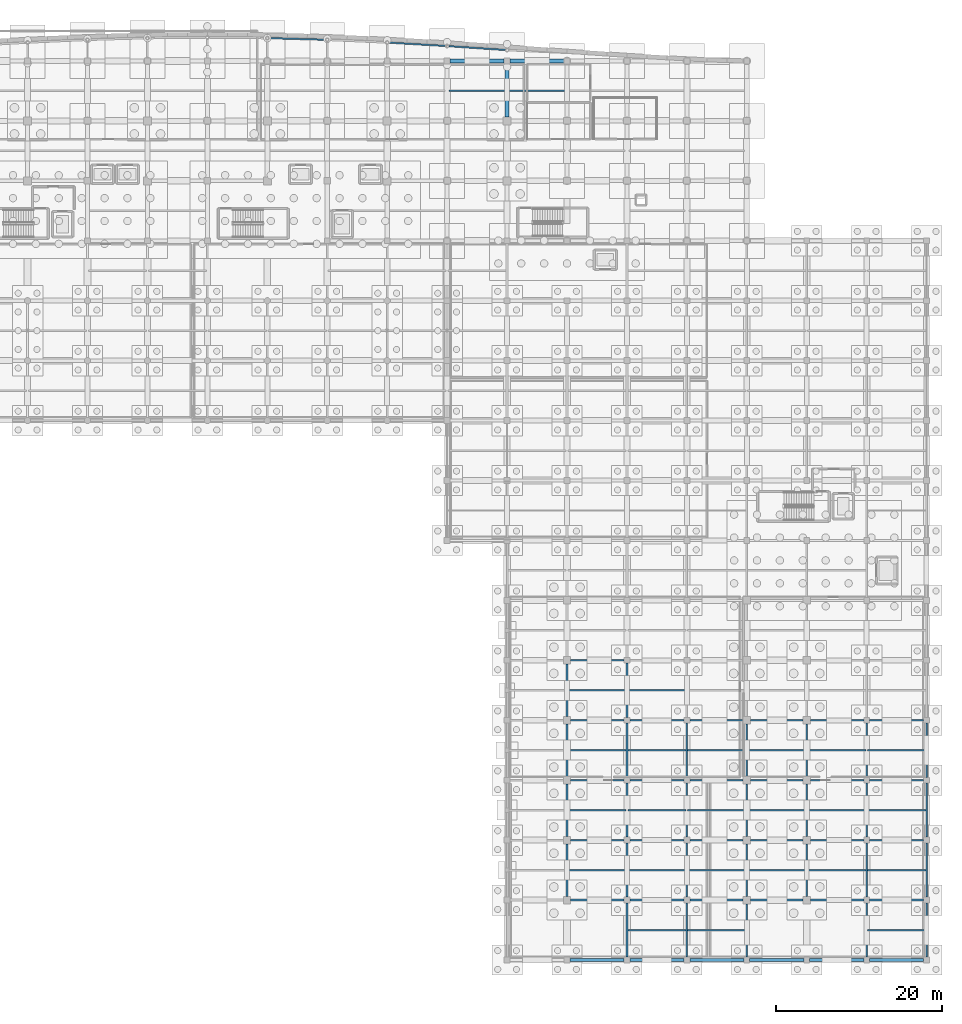
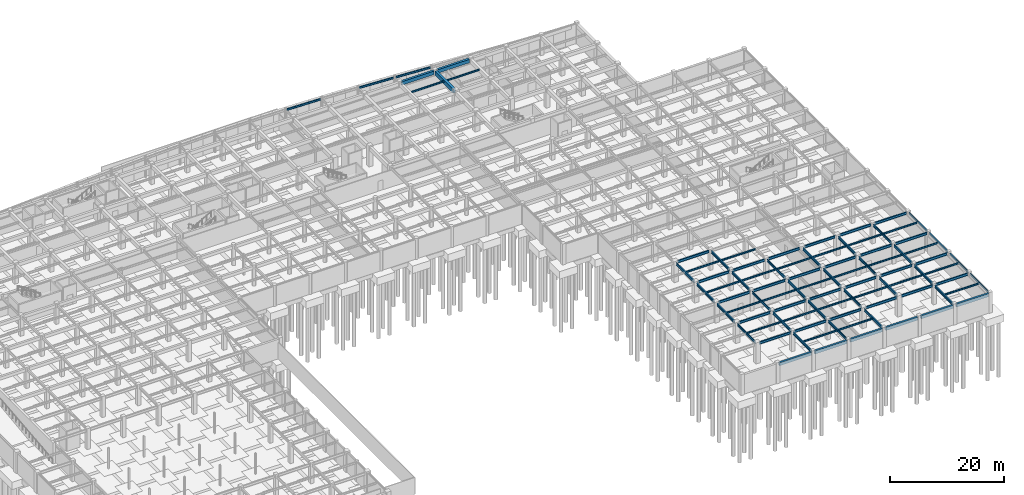
# One storey, part 29 of 48: 90 beams.
"""IFC4 building model written with IfcOpenShell, lengths in metres."""

from ifc_helpers import new_model, si_unit, direction, frame, origin, origin_2d, place, context, subcontext, project, spatial, rectangle, i_section, extrude, material, material_profile, profile_set, type_object, element, save


model = new_model("IFC4")

# Units and contexts
model_context = context("Model", 3, precision=1e-05, world=origin(), true_north=direction((0.0, 1.0)))
body_context = subcontext(model_context, "Body", "Model", "MODEL_VIEW")
ifc_project = project(units=[si_unit("LENGTHUNIT", "METRE"), si_unit("AREAUNIT", "SQUARE_METRE"), si_unit("VOLUMEUNIT", "CUBIC_METRE"), si_unit("PLANEANGLEUNIT", "RADIAN"), si_unit("MASSUNIT", "GRAM", prefix="KILO")], contexts=[model_context])

# Site, building, storey
site_placement = place(None, origin())
site = spatial("IfcSite", under=ifc_project, at=site_placement, CompositionType="ELEMENT")
building_placement = place(site_placement, origin())
building = spatial("IfcBuilding", under=site, at=building_placement, Name="Carrowvane Square Congress Hotel", CompositionType="ELEMENT")
storey_placement = place(building_placement, frame((0.0, 0.0, -4.5)))
storey = spatial("IfcBuildingStorey", under=building, at=storey_placement, Name="B01", CompositionType="ELEMENT", Elevation=-4.5)

# Beams
ifc_material_1 = material(Name="Concrete C35/45", Category="concrete")
ifc_material_profile_1 = material_profile(ifc_material_1, rectangle(XDim=0.449951171875, YDim=0.75, at=origin_2d()), Name="RC 450x750")
ifc_profile_set_1 = profile_set([ifc_material_profile_1], Name="Concrete C35/45")
beam_type_1 = type_object("IfcBeamType", Name="BM-RC-450x750", PredefinedType="USERDEFINED", material=ifc_profile_set_1)
for number, where, z_axis, x_axis, name in (
    (1, (127.14990234375, 113.39990234375, 3.824951171875), (1.0, 0.0, 0.0), (0.0, 1.0, 0.0), "L00 girder R/17-18"),
    (2, (134.35009765625, 113.39990234375, 3.824951171875), (1.0, 0.0, 0.0), (0.0, 1.0, 0.0), "L00 girder R/18-19"),
):
    element("IfcBeam", number, at=place(storey_placement, frame(where, z_axis=z_axis, x_axis=x_axis)), inside=storey, type_object=beam_type_1, Name=name, ObjectType="GIRDER", PredefinedType="USERDEFINED", context=body_context, shape_type="SweptSolid", body=[
        extrude(rectangle(XDim=0.449951171875, YDim=0.75, at=origin_2d()), origin(), (0.0, 0.0, 1.0), 6.5),
    ])
ifc_material_2 = material(Name="Concrete C35/45", Category="concrete")
ifc_material_profile_2 = material_profile(ifc_material_2, rectangle(XDim=0.5, YDim=0.85009765625, at=origin_2d()), Name="RC 500x850")
ifc_profile_set_2 = profile_set([ifc_material_profile_2], Name="Concrete C35/45")
beam_type_2 = type_object("IfcBeamType", Name="BM-RC-500x850", PredefinedType="USERDEFINED", material=ifc_profile_set_2)
beam_1_placement = place(storey_placement, frame((134.0, 106.675048828125, 3.77490234375), z_axis=(0.0, 1.0, 0.0), x_axis=(-1.0, 0.0, 0.0)))
element("IfcBeam", 3, at=beam_1_placement, inside=storey, type_object=beam_type_2, Name="L00 girder 18/Q-R", ObjectType="GIRDER", PredefinedType="USERDEFINED", context=body_context, shape_type="SweptSolid", body=[
    extrude(rectangle(XDim=0.5, YDim=0.85009765625, at=origin_2d()), origin(), (0.0, 0.0, 1.0), 6.375),
])
ifc_material_3 = material(Name="Steel S355", Category="steel")
ifc_material_profile_3 = material_profile(ifc_material_3, i_section(OverallWidth=0.172119140625, OverallDepth=0.35791015625, WebThickness=0.008056640625, FlangeThickness=0.012939453125, FilletRadius=0.01025390625, at=origin_2d()), Name="UKB 356x171x57")
ifc_profile_set_3 = profile_set([ifc_material_profile_3], Name="Steel S355")
beam_type_3 = type_object("IfcBeamType", Name="BM-ST-UKB356", PredefinedType="JOIST", material=ifc_profile_set_3)
for number, where, z_axis, x_axis, name in (
    (4, (127.050048828125, 109.800048828125, 4.02099609375), (1.0, 0.0, 0.0), (0.0, 1.0, 0.0), "L00 secondary joist 17-18"),
    (5, (134.25, 109.800048828125, 4.02099609375), (1.0, 0.0, 0.0), (0.0, 1.0, 0.0), "L00 secondary joist 18-19"),
):
    element("IfcBeam", number, at=place(storey_placement, frame(where, z_axis=z_axis, x_axis=x_axis)), inside=storey, type_object=beam_type_3, Name=name, PredefinedType="JOIST", context=body_context, shape_type="SweptSolid", body=[
        extrude(i_section(OverallWidth=0.172119140625, OverallDepth=0.35791015625, WebThickness=0.008056640625, FlangeThickness=0.012939453125, FilletRadius=0.01025390625, at=origin_2d()), origin(), (0.0, 0.0, 1.0), 6.699951171875),
    ])
for number, where, z_axis, x_axis, name in (
    (6, (141.304931640625, 16.199951171875, 4.02099609375), (1.0, 0.0, 0.0), (0.0, 1.0, 0.0), "L00 secondary joist 19-20"),
    (7, (141.304931640625, 23.39990234375, 4.02099609375), (1.0, 0.0, 0.0), (0.0, 1.0, 0.0), "L00 secondary joist 19-20"),
    (8, (141.304931640625, 30.60009765625, 4.02099609375), (1.0, 0.0, 0.0), (0.0, 1.0, 0.0), "L00 secondary joist 19-20"),
    (9, (141.304931640625, 37.800048828125, 4.02099609375), (1.0, 0.0, 0.0), (0.0, 1.0, 0.0), "L00 secondary joist 19-20"),
):
    element("IfcBeam", number, at=place(storey_placement, frame(where, z_axis=z_axis, x_axis=x_axis)), inside=storey, type_object=beam_type_3, Name=name, PredefinedType="JOIST", context=body_context, shape_type="SweptSolid", body=[
        extrude(i_section(OverallWidth=0.172119140625, OverallDepth=0.35791015625, WebThickness=0.008056640625, FlangeThickness=0.012939453125, FilletRadius=0.01025390625, at=origin_2d()), origin(), (0.0, 0.0, 1.0), 6.989990234375),
    ])
for number, where, z_axis, x_axis, name in (
    (10, (148.5048828125, 9.0, 4.02099609375), (1.0, 0.0, 0.0), (0.0, 1.0, 0.0), "L00 secondary joist 20-21"),
    (11, (148.5048828125, 16.199951171875, 4.02099609375), (1.0, 0.0, 0.0), (0.0, 1.0, 0.0), "L00 secondary joist 20-21"),
    (12, (148.5048828125, 23.39990234375, 4.02099609375), (1.0, 0.0, 0.0), (0.0, 1.0, 0.0), "L00 secondary joist 20-21"),
    (13, (148.5048828125, 30.60009765625, 4.02099609375), (1.0, 0.0, 0.0), (0.0, 1.0, 0.0), "L00 secondary joist 20-21"),
    (14, (148.5048828125, 37.800048828125, 4.02099609375), (1.0, 0.0, 0.0), (0.0, 1.0, 0.0), "L00 secondary joist 20-21"),
):
    element("IfcBeam", number, at=place(storey_placement, frame(where, z_axis=z_axis, x_axis=x_axis)), inside=storey, type_object=beam_type_3, Name=name, PredefinedType="JOIST", context=body_context, shape_type="SweptSolid", body=[
        extrude(i_section(OverallWidth=0.172119140625, OverallDepth=0.35791015625, WebThickness=0.008056640625, FlangeThickness=0.012939453125, FilletRadius=0.01025390625, at=origin_2d()), origin(), (0.0, 0.0, 1.0), 6.990234375),
    ])
for number, where, z_axis, x_axis, name in (
    (15, (155.705078125, 9.0, 4.02099609375), (1.0, 0.0, 0.0), (0.0, 1.0, 0.0), "L00 secondary joist 21-22"),
    (16, (155.705078125, 16.199951171875, 4.02099609375), (1.0, 0.0, 0.0), (0.0, 1.0, 0.0), "L00 secondary joist 21-22"),
    (17, (155.705078125, 23.39990234375, 4.02099609375), (1.0, 0.0, 0.0), (0.0, 1.0, 0.0), "L00 secondary joist 21-22"),
    (18, (155.705078125, 30.60009765625, 4.02099609375), (1.0, 0.0, 0.0), (0.0, 1.0, 0.0), "L00 secondary joist 21-22"),
    (19, (162.905029296875, 16.199951171875, 4.02099609375), (1.0, 0.0, 0.0), (0.0, 1.0, 0.0), "L00 secondary joist 22-23"),
    (20, (162.905029296875, 23.39990234375, 4.02099609375), (1.0, 0.0, 0.0), (0.0, 1.0, 0.0), "L00 secondary joist 22-23"),
    (21, (162.905029296875, 30.60009765625, 4.02099609375), (1.0, 0.0, 0.0), (0.0, 1.0, 0.0), "L00 secondary joist 22-23"),
    (22, (170.10498046875, 16.199951171875, 4.02099609375), (1.0, 0.0, 0.0), (0.0, 1.0, 0.0), "L00 secondary joist 23-24"),
    (23, (170.10498046875, 23.39990234375, 4.02099609375), (1.0, 0.0, 0.0), (0.0, 1.0, 0.0), "L00 secondary joist 23-24"),
    (24, (170.10498046875, 30.60009765625, 4.02099609375), (1.0, 0.0, 0.0), (0.0, 1.0, 0.0), "L00 secondary joist 23-24"),
):
    element("IfcBeam", number, at=place(storey_placement, frame(where, z_axis=z_axis, x_axis=x_axis)), inside=storey, type_object=beam_type_3, Name=name, PredefinedType="JOIST", context=body_context, shape_type="SweptSolid", body=[
        extrude(i_section(OverallWidth=0.172119140625, OverallDepth=0.35791015625, WebThickness=0.008056640625, FlangeThickness=0.012939453125, FilletRadius=0.01025390625, at=origin_2d()), origin(), (0.0, 0.0, 1.0), 6.989990234375),
    ])
for number, where, z_axis, x_axis, name in (
    (25, (177.304931640625, 9.0, 4.02099609375), (1.0, 0.0, 0.0), (0.0, 1.0, 0.0), "L00 secondary joist 24-25"),
    (26, (177.304931640625, 16.199951171875, 4.02099609375), (1.0, 0.0, 0.0), (0.0, 1.0, 0.0), "L00 secondary joist 24-25"),
    (27, (177.304931640625, 23.39990234375, 4.02099609375), (1.0, 0.0, 0.0), (0.0, 1.0, 0.0), "L00 secondary joist 24-25"),
    (28, (177.304931640625, 30.60009765625, 4.02099609375), (1.0, 0.0, 0.0), (0.0, 1.0, 0.0), "L00 secondary joist 24-25"),
):
    element("IfcBeam", number, at=place(storey_placement, frame(where, z_axis=z_axis, x_axis=x_axis)), inside=storey, type_object=beam_type_3, Name=name, PredefinedType="JOIST", context=body_context, shape_type="SweptSolid", body=[
        extrude(i_section(OverallWidth=0.172119140625, OverallDepth=0.35791015625, WebThickness=0.008056640625, FlangeThickness=0.012939453125, FilletRadius=0.01025390625, at=origin_2d()), origin(), (0.0, 0.0, 1.0), 6.99951171875),
    ])
ifc_material_4 = material(Name="Steel S355", Category="steel")
ifc_material_profile_4 = material_profile(ifc_material_4, i_section(OverallWidth=0.1787109375, OverallDepth=0.409423828125, WebThickness=0.0087890625, FlangeThickness=0.014404296875, FilletRadius=0.01025390625, at=origin_2d()), Name="UKB 406x178x67")
ifc_profile_set_4 = profile_set([ifc_material_profile_4], Name="Steel S355")
beam_type_4 = type_object("IfcBeamType", Name="BM-ST-UKB406", PredefinedType="BEAM", material=ifc_profile_set_4)
beam_2_placement = place(storey_placement, frame((105.403076171875, 116.14404296875, 3.995361328125), z_axis=(0.999591118992, -0.02859361522, 0.0), x_axis=(0.02859361522, 0.999591118992, 0.0)))
element("IfcBeam", 29, at=beam_2_placement, inside=storey, type_object=beam_type_4, Name="L00 curved north spandrel", PredefinedType="BEAM", context=body_context, shape_type="SweptSolid", body=[
    extrude(i_section(OverallWidth=0.1787109375, OverallDepth=0.409423828125, WebThickness=0.0087890625, FlangeThickness=0.014404296875, FilletRadius=0.01025390625, at=origin_2d()), origin(), (0.0, 0.0, 1.0), 6.79638671875),
])
beam_3_placement = place(storey_placement, frame((119.802734375, 115.605712890625, 3.995361328125), z_axis=(0.998276598904, -0.058684172325, 0.0), x_axis=(0.058684172325, 0.998276598904, 0.0)))
element("IfcBeam", 30, at=beam_3_placement, inside=storey, type_object=beam_type_4, Name="L00 curved north spandrel", PredefinedType="BEAM", context=body_context, shape_type="SweptSolid", body=[
    extrude(i_section(OverallWidth=0.1787109375, OverallDepth=0.409423828125, WebThickness=0.0087890625, FlangeThickness=0.014404296875, FilletRadius=0.01025390625, at=origin_2d()), origin(), (0.0, 0.0, 1.0), 6.80615234375),
])
beam_4_placement = place(storey_placement, frame((127.002685546875, 115.1806640625, 3.995361328125), z_axis=(0.997706912919, -0.067682463857, 0.0), x_axis=(0.067682463857, 0.997706912919, 0.0)))
element("IfcBeam", 31, at=beam_4_placement, inside=storey, type_object=beam_type_4, Name="L00 curved north spandrel", PredefinedType="BEAM", context=body_context, shape_type="SweptSolid", body=[
    extrude(i_section(OverallWidth=0.1787109375, OverallDepth=0.409423828125, WebThickness=0.0087890625, FlangeThickness=0.014404296875, FilletRadius=0.01025390625, at=origin_2d()), origin(), (0.0, 0.0, 1.0), 6.810302734375),
])
ifc_material_5 = material(Name="Steel S355", Category="steel")
ifc_material_profile_5 = material_profile(ifc_material_5, i_section(OverallWidth=0.19140625, OverallDepth=0.4599609375, WebThickness=0.010009765625, FlangeThickness=0.01611328125, FilletRadius=0.01025390625, at=origin_2d()), Name="UKB 457x191x82")
ifc_profile_set_5 = profile_set([ifc_material_profile_5], Name="Steel S355")
beam_type_5 = type_object("IfcBeamType", Name="BM-ST-UKB457", PredefinedType="SPANDREL", material=ifc_profile_set_5)
for number, where, z_axis, x_axis, name in (
    (32, (184.39990234375, 5.75, 3.969970703125), (0.0, 1.0, 0.0), (-1.0, 0.0, 0.0), "L00 girder 25/A-B"),
    (33, (184.39990234375, 12.949951171875, 3.969970703125), (0.0, 1.0, 0.0), (-1.0, 0.0, 0.0), "L00 girder 25/B-C"),
    (34, (184.39990234375, 20.14990234375, 3.969970703125), (0.0, 1.0, 0.0), (-1.0, 0.0, 0.0), "L00 girder 25/C-D"),
    (35, (184.39990234375, 27.35009765625, 3.969970703125), (0.0, 1.0, 0.0), (-1.0, 0.0, 0.0), "L00 girder 25/D-E"),
):
    element("IfcBeam", number, at=place(storey_placement, frame(where, z_axis=z_axis, x_axis=x_axis)), inside=storey, type_object=beam_type_5, Name=name, PredefinedType="SPANDREL", context=body_context, shape_type="SweptSolid", body=[
        extrude(i_section(OverallWidth=0.19140625, OverallDepth=0.4599609375, WebThickness=0.010009765625, FlangeThickness=0.01611328125, FilletRadius=0.01025390625, at=origin_2d()), origin(), (0.0, 0.0, 1.0), 6.5),
    ])
ifc_material_6 = material(Name="Steel S355", Category="steel")
ifc_material_profile_6 = material_profile(ifc_material_6, i_section(OverallWidth=0.2099609375, OverallDepth=0.53662109375, WebThickness=0.0107421875, FlangeThickness=0.017333984375, FilletRadius=0.0126953125, at=origin_2d()), Name="UKB 533x210x101")
ifc_profile_set_6 = profile_set([ifc_material_profile_6], Name="Steel S355")
beam_type_6 = type_object("IfcBeamType", Name="BM-ST-UKB533", PredefinedType="USERDEFINED", material=ifc_profile_set_6)
beam_5_placement = place(storey_placement, frame((141.64990234375, 12.60009765625, 3.931640625), z_axis=(1.0, 0.0, 0.0), x_axis=(0.0, 1.0, 0.0)))
element("IfcBeam", 36, at=beam_5_placement, inside=storey, type_object=beam_type_6, Name="L00 girder B/19-20", ObjectType="GIRDER", PredefinedType="USERDEFINED", context=body_context, shape_type="SweptSolid", body=[
    extrude(i_section(OverallWidth=0.2099609375, OverallDepth=0.53662109375, WebThickness=0.0107421875, FlangeThickness=0.017333984375, FilletRadius=0.0126953125, at=origin_2d()), origin(), (0.0, 0.0, 1.0), 6.400146484375),
])
beam_6_placement = place(storey_placement, frame((148.75, 12.60009765625, 3.931640625), z_axis=(1.0, 0.0, 0.0), x_axis=(0.0, 1.0, 0.0)))
element("IfcBeam", 37, at=beam_6_placement, inside=storey, type_object=beam_type_6, Name="L00 girder B/20-21", ObjectType="GIRDER", PredefinedType="USERDEFINED", context=body_context, shape_type="SweptSolid", body=[
    extrude(i_section(OverallWidth=0.2099609375, OverallDepth=0.53662109375, WebThickness=0.0107421875, FlangeThickness=0.017333984375, FilletRadius=0.0126953125, at=origin_2d()), origin(), (0.0, 0.0, 1.0), 6.5),
])
beam_7_placement = place(storey_placement, frame((155.949951171875, 12.60009765625, 3.931640625), z_axis=(1.0, 0.0, 0.0), x_axis=(0.0, 1.0, 0.0)))
element("IfcBeam", 38, at=beam_7_placement, inside=storey, type_object=beam_type_6, Name="L00 girder B/21-22", ObjectType="GIRDER", PredefinedType="USERDEFINED", context=body_context, shape_type="SweptSolid", body=[
    extrude(i_section(OverallWidth=0.2099609375, OverallDepth=0.53662109375, WebThickness=0.0107421875, FlangeThickness=0.017333984375, FilletRadius=0.0126953125, at=origin_2d()), origin(), (0.0, 0.0, 1.0), 6.400146484375),
])
beam_8_placement = place(storey_placement, frame((163.25, 12.60009765625, 3.931640625), z_axis=(1.0, 0.0, 0.0), x_axis=(0.0, 1.0, 0.0)))
element("IfcBeam", 39, at=beam_8_placement, inside=storey, type_object=beam_type_6, Name="L00 girder B/22-23", ObjectType="GIRDER", PredefinedType="USERDEFINED", context=body_context, shape_type="SweptSolid", body=[
    extrude(i_section(OverallWidth=0.2099609375, OverallDepth=0.53662109375, WebThickness=0.0107421875, FlangeThickness=0.017333984375, FilletRadius=0.0126953125, at=origin_2d()), origin(), (0.0, 0.0, 1.0), 6.300048828125),
])
beam_9_placement = place(storey_placement, frame((170.449951171875, 12.60009765625, 3.931640625), z_axis=(1.0, 0.0, 0.0), x_axis=(0.0, 1.0, 0.0)))
element("IfcBeam", 40, at=beam_9_placement, inside=storey, type_object=beam_type_6, Name="L00 girder B/23-24", ObjectType="GIRDER", PredefinedType="USERDEFINED", context=body_context, shape_type="SweptSolid", body=[
    extrude(i_section(OverallWidth=0.2099609375, OverallDepth=0.53662109375, WebThickness=0.0107421875, FlangeThickness=0.017333984375, FilletRadius=0.0126953125, at=origin_2d()), origin(), (0.0, 0.0, 1.0), 6.400146484375),
])
beam_10_placement = place(storey_placement, frame((177.550048828125, 12.60009765625, 3.931640625), z_axis=(1.0, 0.0, 0.0), x_axis=(0.0, 1.0, 0.0)))
element("IfcBeam", 41, at=beam_10_placement, inside=storey, type_object=beam_type_6, Name="L00 girder B/24-25", ObjectType="GIRDER", PredefinedType="USERDEFINED", context=body_context, shape_type="SweptSolid", body=[
    extrude(i_section(OverallWidth=0.2099609375, OverallDepth=0.53662109375, WebThickness=0.0107421875, FlangeThickness=0.017333984375, FilletRadius=0.0126953125, at=origin_2d()), origin(), (0.0, 0.0, 1.0), 6.5),
])
beam_11_placement = place(storey_placement, frame((141.64990234375, 19.800048828125, 3.931640625), z_axis=(1.0, 0.0, 0.0), x_axis=(0.0, 1.0, 0.0)))
element("IfcBeam", 42, at=beam_11_placement, inside=storey, type_object=beam_type_6, Name="L00 girder C/19-20", ObjectType="GIRDER", PredefinedType="USERDEFINED", context=body_context, shape_type="SweptSolid", body=[
    extrude(i_section(OverallWidth=0.2099609375, OverallDepth=0.53662109375, WebThickness=0.0107421875, FlangeThickness=0.017333984375, FilletRadius=0.0126953125, at=origin_2d()), origin(), (0.0, 0.0, 1.0), 6.400146484375),
])
beam_12_placement = place(storey_placement, frame((148.75, 19.800048828125, 3.931640625), z_axis=(1.0, 0.0, 0.0), x_axis=(0.0, 1.0, 0.0)))
element("IfcBeam", 43, at=beam_12_placement, inside=storey, type_object=beam_type_6, Name="L00 girder C/20-21", ObjectType="GIRDER", PredefinedType="USERDEFINED", context=body_context, shape_type="SweptSolid", body=[
    extrude(i_section(OverallWidth=0.2099609375, OverallDepth=0.53662109375, WebThickness=0.0107421875, FlangeThickness=0.017333984375, FilletRadius=0.0126953125, at=origin_2d()), origin(), (0.0, 0.0, 1.0), 6.5),
])
beam_13_placement = place(storey_placement, frame((155.949951171875, 19.800048828125, 3.931640625), z_axis=(1.0, 0.0, 0.0), x_axis=(0.0, 1.0, 0.0)))
element("IfcBeam", 44, at=beam_13_placement, inside=storey, type_object=beam_type_6, Name="L00 girder C/21-22", ObjectType="GIRDER", PredefinedType="USERDEFINED", context=body_context, shape_type="SweptSolid", body=[
    extrude(i_section(OverallWidth=0.2099609375, OverallDepth=0.53662109375, WebThickness=0.0107421875, FlangeThickness=0.017333984375, FilletRadius=0.0126953125, at=origin_2d()), origin(), (0.0, 0.0, 1.0), 6.400146484375),
])
beam_14_placement = place(storey_placement, frame((163.25, 19.800048828125, 3.931640625), z_axis=(1.0, 0.0, 0.0), x_axis=(0.0, 1.0, 0.0)))
element("IfcBeam", 45, at=beam_14_placement, inside=storey, type_object=beam_type_6, Name="L00 girder C/22-23", ObjectType="GIRDER", PredefinedType="USERDEFINED", context=body_context, shape_type="SweptSolid", body=[
    extrude(i_section(OverallWidth=0.2099609375, OverallDepth=0.53662109375, WebThickness=0.0107421875, FlangeThickness=0.017333984375, FilletRadius=0.0126953125, at=origin_2d()), origin(), (0.0, 0.0, 1.0), 6.300048828125),
])
beam_15_placement = place(storey_placement, frame((170.449951171875, 19.800048828125, 3.931640625), z_axis=(1.0, 0.0, 0.0), x_axis=(0.0, 1.0, 0.0)))
element("IfcBeam", 46, at=beam_15_placement, inside=storey, type_object=beam_type_6, Name="L00 girder C/23-24", ObjectType="GIRDER", PredefinedType="USERDEFINED", context=body_context, shape_type="SweptSolid", body=[
    extrude(i_section(OverallWidth=0.2099609375, OverallDepth=0.53662109375, WebThickness=0.0107421875, FlangeThickness=0.017333984375, FilletRadius=0.0126953125, at=origin_2d()), origin(), (0.0, 0.0, 1.0), 6.400146484375),
])
beam_16_placement = place(storey_placement, frame((177.550048828125, 19.800048828125, 3.931640625), z_axis=(1.0, 0.0, 0.0), x_axis=(0.0, 1.0, 0.0)))
element("IfcBeam", 47, at=beam_16_placement, inside=storey, type_object=beam_type_6, Name="L00 girder C/24-25", ObjectType="GIRDER", PredefinedType="USERDEFINED", context=body_context, shape_type="SweptSolid", body=[
    extrude(i_section(OverallWidth=0.2099609375, OverallDepth=0.53662109375, WebThickness=0.0107421875, FlangeThickness=0.017333984375, FilletRadius=0.0126953125, at=origin_2d()), origin(), (0.0, 0.0, 1.0), 6.5),
])
beam_17_placement = place(storey_placement, frame((141.64990234375, 27.0, 3.931640625), z_axis=(1.0, 0.0, 0.0), x_axis=(0.0, 1.0, 0.0)))
element("IfcBeam", 48, at=beam_17_placement, inside=storey, type_object=beam_type_6, Name="L00 girder D/19-20", ObjectType="GIRDER", PredefinedType="USERDEFINED", context=body_context, shape_type="SweptSolid", body=[
    extrude(i_section(OverallWidth=0.2099609375, OverallDepth=0.53662109375, WebThickness=0.0107421875, FlangeThickness=0.017333984375, FilletRadius=0.0126953125, at=origin_2d()), origin(), (0.0, 0.0, 1.0), 6.400146484375),
])
beam_18_placement = place(storey_placement, frame((148.75, 27.0, 3.931640625), z_axis=(1.0, 0.0, 0.0), x_axis=(0.0, 1.0, 0.0)))
element("IfcBeam", 49, at=beam_18_placement, inside=storey, type_object=beam_type_6, Name="L00 girder D/20-21", ObjectType="GIRDER", PredefinedType="USERDEFINED", context=body_context, shape_type="SweptSolid", body=[
    extrude(i_section(OverallWidth=0.2099609375, OverallDepth=0.53662109375, WebThickness=0.0107421875, FlangeThickness=0.017333984375, FilletRadius=0.0126953125, at=origin_2d()), origin(), (0.0, 0.0, 1.0), 6.5),
])
beam_19_placement = place(storey_placement, frame((155.949951171875, 27.0, 3.931640625), z_axis=(1.0, 0.0, 0.0), x_axis=(0.0, 1.0, 0.0)))
element("IfcBeam", 50, at=beam_19_placement, inside=storey, type_object=beam_type_6, Name="L00 girder D/21-22", ObjectType="GIRDER", PredefinedType="USERDEFINED", context=body_context, shape_type="SweptSolid", body=[
    extrude(i_section(OverallWidth=0.2099609375, OverallDepth=0.53662109375, WebThickness=0.0107421875, FlangeThickness=0.017333984375, FilletRadius=0.0126953125, at=origin_2d()), origin(), (0.0, 0.0, 1.0), 6.400146484375),
])
beam_20_placement = place(storey_placement, frame((163.25, 27.0, 3.931640625), z_axis=(1.0, 0.0, 0.0), x_axis=(0.0, 1.0, 0.0)))
element("IfcBeam", 51, at=beam_20_placement, inside=storey, type_object=beam_type_6, Name="L00 girder D/22-23", ObjectType="GIRDER", PredefinedType="USERDEFINED", context=body_context, shape_type="SweptSolid", body=[
    extrude(i_section(OverallWidth=0.2099609375, OverallDepth=0.53662109375, WebThickness=0.0107421875, FlangeThickness=0.017333984375, FilletRadius=0.0126953125, at=origin_2d()), origin(), (0.0, 0.0, 1.0), 6.300048828125),
])
beam_21_placement = place(storey_placement, frame((170.449951171875, 27.0, 3.931640625), z_axis=(1.0, 0.0, 0.0), x_axis=(0.0, 1.0, 0.0)))
element("IfcBeam", 52, at=beam_21_placement, inside=storey, type_object=beam_type_6, Name="L00 girder D/23-24", ObjectType="GIRDER", PredefinedType="USERDEFINED", context=body_context, shape_type="SweptSolid", body=[
    extrude(i_section(OverallWidth=0.2099609375, OverallDepth=0.53662109375, WebThickness=0.0107421875, FlangeThickness=0.017333984375, FilletRadius=0.0126953125, at=origin_2d()), origin(), (0.0, 0.0, 1.0), 6.400146484375),
])
beam_22_placement = place(storey_placement, frame((177.550048828125, 27.0, 3.931640625), z_axis=(1.0, 0.0, 0.0), x_axis=(0.0, 1.0, 0.0)))
element("IfcBeam", 53, at=beam_22_placement, inside=storey, type_object=beam_type_6, Name="L00 girder D/24-25", ObjectType="GIRDER", PredefinedType="USERDEFINED", context=body_context, shape_type="SweptSolid", body=[
    extrude(i_section(OverallWidth=0.2099609375, OverallDepth=0.53662109375, WebThickness=0.0107421875, FlangeThickness=0.017333984375, FilletRadius=0.0126953125, at=origin_2d()), origin(), (0.0, 0.0, 1.0), 6.5),
])
beam_23_placement = place(storey_placement, frame((141.64990234375, 34.199951171875, 3.931640625), z_axis=(1.0, 0.0, 0.0), x_axis=(0.0, 1.0, 0.0)))
element("IfcBeam", 54, at=beam_23_placement, inside=storey, type_object=beam_type_6, Name="L00 girder E/19-20", ObjectType="GIRDER", PredefinedType="USERDEFINED", context=body_context, shape_type="SweptSolid", body=[
    extrude(i_section(OverallWidth=0.2099609375, OverallDepth=0.53662109375, WebThickness=0.0107421875, FlangeThickness=0.017333984375, FilletRadius=0.0126953125, at=origin_2d()), origin(), (0.0, 0.0, 1.0), 6.400146484375),
])
beam_24_placement = place(storey_placement, frame((148.75, 34.199951171875, 3.931640625), z_axis=(1.0, 0.0, 0.0), x_axis=(0.0, 1.0, 0.0)))
element("IfcBeam", 55, at=beam_24_placement, inside=storey, type_object=beam_type_6, Name="L00 girder E/20-21", ObjectType="GIRDER", PredefinedType="USERDEFINED", context=body_context, shape_type="SweptSolid", body=[
    extrude(i_section(OverallWidth=0.2099609375, OverallDepth=0.53662109375, WebThickness=0.0107421875, FlangeThickness=0.017333984375, FilletRadius=0.0126953125, at=origin_2d()), origin(), (0.0, 0.0, 1.0), 6.5),
])
beam_25_placement = place(storey_placement, frame((155.949951171875, 34.199951171875, 3.931640625), z_axis=(1.0, 0.0, 0.0), x_axis=(0.0, 1.0, 0.0)))
element("IfcBeam", 56, at=beam_25_placement, inside=storey, type_object=beam_type_6, Name="L00 girder E/21-22", ObjectType="GIRDER", PredefinedType="USERDEFINED", context=body_context, shape_type="SweptSolid", body=[
    extrude(i_section(OverallWidth=0.2099609375, OverallDepth=0.53662109375, WebThickness=0.0107421875, FlangeThickness=0.017333984375, FilletRadius=0.0126953125, at=origin_2d()), origin(), (0.0, 0.0, 1.0), 6.400146484375),
])
beam_26_placement = place(storey_placement, frame((163.25, 34.199951171875, 3.931640625), z_axis=(1.0, 0.0, 0.0), x_axis=(0.0, 1.0, 0.0)))
element("IfcBeam", 57, at=beam_26_placement, inside=storey, type_object=beam_type_6, Name="L00 girder E/22-23", ObjectType="GIRDER", PredefinedType="USERDEFINED", context=body_context, shape_type="SweptSolid", body=[
    extrude(i_section(OverallWidth=0.2099609375, OverallDepth=0.53662109375, WebThickness=0.0107421875, FlangeThickness=0.017333984375, FilletRadius=0.0126953125, at=origin_2d()), origin(), (0.0, 0.0, 1.0), 6.300048828125),
])
beam_27_placement = place(storey_placement, frame((170.449951171875, 34.199951171875, 3.931640625), z_axis=(1.0, 0.0, 0.0), x_axis=(0.0, 1.0, 0.0)))
element("IfcBeam", 58, at=beam_27_placement, inside=storey, type_object=beam_type_6, Name="L00 girder E/23-24", ObjectType="GIRDER", PredefinedType="USERDEFINED", context=body_context, shape_type="SweptSolid", body=[
    extrude(i_section(OverallWidth=0.2099609375, OverallDepth=0.53662109375, WebThickness=0.0107421875, FlangeThickness=0.017333984375, FilletRadius=0.0126953125, at=origin_2d()), origin(), (0.0, 0.0, 1.0), 6.400146484375),
])
beam_28_placement = place(storey_placement, frame((177.550048828125, 34.199951171875, 3.931640625), z_axis=(1.0, 0.0, 0.0), x_axis=(0.0, 1.0, 0.0)))
element("IfcBeam", 59, at=beam_28_placement, inside=storey, type_object=beam_type_6, Name="L00 girder E/24-25", ObjectType="GIRDER", PredefinedType="USERDEFINED", context=body_context, shape_type="SweptSolid", body=[
    extrude(i_section(OverallWidth=0.2099609375, OverallDepth=0.53662109375, WebThickness=0.0107421875, FlangeThickness=0.017333984375, FilletRadius=0.0126953125, at=origin_2d()), origin(), (0.0, 0.0, 1.0), 6.5),
])
beam_29_placement = place(storey_placement, frame((141.64990234375, 41.39990234375, 3.931640625), z_axis=(1.0, 0.0, 0.0), x_axis=(0.0, 1.0, 0.0)))
element("IfcBeam", 60, at=beam_29_placement, inside=storey, type_object=beam_type_6, Name="L00 girder F/19-20", ObjectType="GIRDER", PredefinedType="USERDEFINED", context=body_context, shape_type="SweptSolid", body=[
    extrude(i_section(OverallWidth=0.2099609375, OverallDepth=0.53662109375, WebThickness=0.0107421875, FlangeThickness=0.017333984375, FilletRadius=0.0126953125, at=origin_2d()), origin(), (0.0, 0.0, 1.0), 6.400146484375),
])
for number, where, z_axis, x_axis, name in (
    (61, (141.199951171875, 13.050048828125, 3.931640625), (0.0, 1.0, 0.0), (-1.0, 0.0, 0.0), "L00 girder 19/B-C"),
    (62, (141.199951171875, 20.25, 3.931640625), (0.0, 1.0, 0.0), (-1.0, 0.0, 0.0), "L00 girder 19/C-D"),
    (63, (141.199951171875, 27.449951171875, 3.931640625), (0.0, 1.0, 0.0), (-1.0, 0.0, 0.0), "L00 girder 19/D-E"),
    (64, (141.199951171875, 34.64990234375, 3.931640625), (0.0, 1.0, 0.0), (-1.0, 0.0, 0.0), "L00 girder 19/E-F"),
):
    element("IfcBeam", number, at=place(storey_placement, frame(where, z_axis=z_axis, x_axis=x_axis)), inside=storey, type_object=beam_type_6, Name=name, ObjectType="GIRDER", PredefinedType="USERDEFINED", context=body_context, shape_type="SweptSolid", body=[
        extrude(i_section(OverallWidth=0.2099609375, OverallDepth=0.53662109375, WebThickness=0.0107421875, FlangeThickness=0.017333984375, FilletRadius=0.0126953125, at=origin_2d()), origin(), (0.0, 0.0, 1.0), 6.300048828125),
    ])
for number, where, z_axis, x_axis, name in (
    (65, (148.39990234375, 5.75, 3.931640625), (0.0, 1.0, 0.0), (-1.0, 0.0, 0.0), "L00 girder 20/A-B"),
    (66, (148.39990234375, 12.949951171875, 3.931640625), (0.0, 1.0, 0.0), (-1.0, 0.0, 0.0), "L00 girder 20/B-C"),
    (67, (148.39990234375, 20.14990234375, 3.931640625), (0.0, 1.0, 0.0), (-1.0, 0.0, 0.0), "L00 girder 20/C-D"),
    (68, (148.39990234375, 27.35009765625, 3.931640625), (0.0, 1.0, 0.0), (-1.0, 0.0, 0.0), "L00 girder 20/D-E"),
    (69, (148.39990234375, 34.550048828125, 3.931640625), (0.0, 1.0, 0.0), (-1.0, 0.0, 0.0), "L00 girder 20/E-F"),
    (70, (155.60009765625, 5.75, 3.931640625), (0.0, 1.0, 0.0), (-1.0, 0.0, 0.0), "L00 girder 21/A-B"),
    (71, (155.60009765625, 12.949951171875, 3.931640625), (0.0, 1.0, 0.0), (-1.0, 0.0, 0.0), "L00 girder 21/B-C"),
    (72, (155.60009765625, 20.14990234375, 3.931640625), (0.0, 1.0, 0.0), (-1.0, 0.0, 0.0), "L00 girder 21/C-D"),
    (73, (155.60009765625, 27.35009765625, 3.931640625), (0.0, 1.0, 0.0), (-1.0, 0.0, 0.0), "L00 girder 21/D-E"),
):
    element("IfcBeam", number, at=place(storey_placement, frame(where, z_axis=z_axis, x_axis=x_axis)), inside=storey, type_object=beam_type_6, Name=name, ObjectType="GIRDER", PredefinedType="USERDEFINED", context=body_context, shape_type="SweptSolid", body=[
        extrude(i_section(OverallWidth=0.2099609375, OverallDepth=0.53662109375, WebThickness=0.0107421875, FlangeThickness=0.017333984375, FilletRadius=0.0126953125, at=origin_2d()), origin(), (0.0, 0.0, 1.0), 6.5),
    ])
beam_30_placement = place(storey_placement, frame((162.800048828125, 5.75, 3.931640625), z_axis=(0.0, 1.0, 0.0), x_axis=(-1.0, 0.0, 0.0)))
element("IfcBeam", 74, at=beam_30_placement, inside=storey, type_object=beam_type_6, Name="L00 girder 22/A-B", ObjectType="GIRDER", PredefinedType="USERDEFINED", context=body_context, shape_type="SweptSolid", body=[
    extrude(i_section(OverallWidth=0.2099609375, OverallDepth=0.53662109375, WebThickness=0.0107421875, FlangeThickness=0.017333984375, FilletRadius=0.0126953125, at=origin_2d()), origin(), (0.0, 0.0, 1.0), 6.39990234375),
])
for number, where, z_axis, x_axis, name in (
    (75, (162.800048828125, 13.050048828125, 3.931640625), (0.0, 1.0, 0.0), (-1.0, 0.0, 0.0), "L00 girder 22/B-C"),
    (76, (162.800048828125, 20.25, 3.931640625), (0.0, 1.0, 0.0), (-1.0, 0.0, 0.0), "L00 girder 22/C-D"),
    (77, (162.800048828125, 27.449951171875, 3.931640625), (0.0, 1.0, 0.0), (-1.0, 0.0, 0.0), "L00 girder 22/D-E"),
    (78, (170.0, 13.050048828125, 3.931640625), (0.0, 1.0, 0.0), (-1.0, 0.0, 0.0), "L00 girder 23/B-C"),
    (79, (170.0, 20.25, 3.931640625), (0.0, 1.0, 0.0), (-1.0, 0.0, 0.0), "L00 girder 23/C-D"),
    (80, (170.0, 27.449951171875, 3.931640625), (0.0, 1.0, 0.0), (-1.0, 0.0, 0.0), "L00 girder 23/D-E"),
):
    element("IfcBeam", number, at=place(storey_placement, frame(where, z_axis=z_axis, x_axis=x_axis)), inside=storey, type_object=beam_type_6, Name=name, ObjectType="GIRDER", PredefinedType="USERDEFINED", context=body_context, shape_type="SweptSolid", body=[
        extrude(i_section(OverallWidth=0.2099609375, OverallDepth=0.53662109375, WebThickness=0.0107421875, FlangeThickness=0.017333984375, FilletRadius=0.0126953125, at=origin_2d()), origin(), (0.0, 0.0, 1.0), 6.300048828125),
    ])
for number, where, z_axis, x_axis, name in (
    (81, (177.199951171875, 5.75, 3.931640625), (0.0, 1.0, 0.0), (-1.0, 0.0, 0.0), "L00 girder 24/A-B"),
    (82, (177.199951171875, 12.949951171875, 3.931640625), (0.0, 1.0, 0.0), (-1.0, 0.0, 0.0), "L00 girder 24/B-C"),
    (83, (177.199951171875, 20.14990234375, 3.931640625), (0.0, 1.0, 0.0), (-1.0, 0.0, 0.0), "L00 girder 24/C-D"),
    (84, (177.199951171875, 27.35009765625, 3.931640625), (0.0, 1.0, 0.0), (-1.0, 0.0, 0.0), "L00 girder 24/D-E"),
):
    element("IfcBeam", number, at=place(storey_placement, frame(where, z_axis=z_axis, x_axis=x_axis)), inside=storey, type_object=beam_type_6, Name=name, ObjectType="GIRDER", PredefinedType="USERDEFINED", context=body_context, shape_type="SweptSolid", body=[
        extrude(i_section(OverallWidth=0.2099609375, OverallDepth=0.53662109375, WebThickness=0.0107421875, FlangeThickness=0.017333984375, FilletRadius=0.0126953125, at=origin_2d()), origin(), (0.0, 0.0, 1.0), 6.5),
    ])
ifc_material_7 = material(Name="Concrete C35/45", Category="concrete")
ifc_material_profile_7 = material_profile(ifc_material_7, rectangle(XDim=0.39990234375, YDim=0.64990234375, at=origin_2d()), Name="RC 400x650")
ifc_profile_set_7 = profile_set([ifc_material_profile_7], Name="Concrete C35/45")
beam_type_7 = type_object("IfcBeamType", Name="SP-RC-400x650", PredefinedType="SPANDREL", material=ifc_profile_set_7)
for number, where, z_axis, x_axis, name in (
    (85, (141.550048828125, 5.39990234375, 3.875), (1.0, 0.0, 0.0), (0.0, 1.0, 0.0), "L00 girder A/19-20"),
    (86, (148.75, 5.39990234375, 3.875), (1.0, 0.0, 0.0), (0.0, 1.0, 0.0), "L00 girder A/20-21"),
    (87, (155.949951171875, 5.39990234375, 3.875), (1.0, 0.0, 0.0), (0.0, 1.0, 0.0), "L00 girder A/21-22"),
    (88, (163.14990234375, 5.39990234375, 3.875), (1.0, 0.0, 0.0), (0.0, 1.0, 0.0), "L00 girder A/22-23"),
    (89, (170.35009765625, 5.39990234375, 3.875), (1.0, 0.0, 0.0), (0.0, 1.0, 0.0), "L00 girder A/23-24"),
    (90, (177.550048828125, 5.39990234375, 3.875), (1.0, 0.0, 0.0), (0.0, 1.0, 0.0), "L00 girder A/24-25"),
):
    element("IfcBeam", number, at=place(storey_placement, frame(where, z_axis=z_axis, x_axis=x_axis)), inside=storey, type_object=beam_type_7, Name=name, PredefinedType="SPANDREL", context=body_context, shape_type="SweptSolid", body=[
        extrude(rectangle(XDim=0.39990234375, YDim=0.64990234375, at=origin_2d()), origin(), (0.0, 0.0, 1.0), 6.5),
    ])

save(model, "model.ifc")
